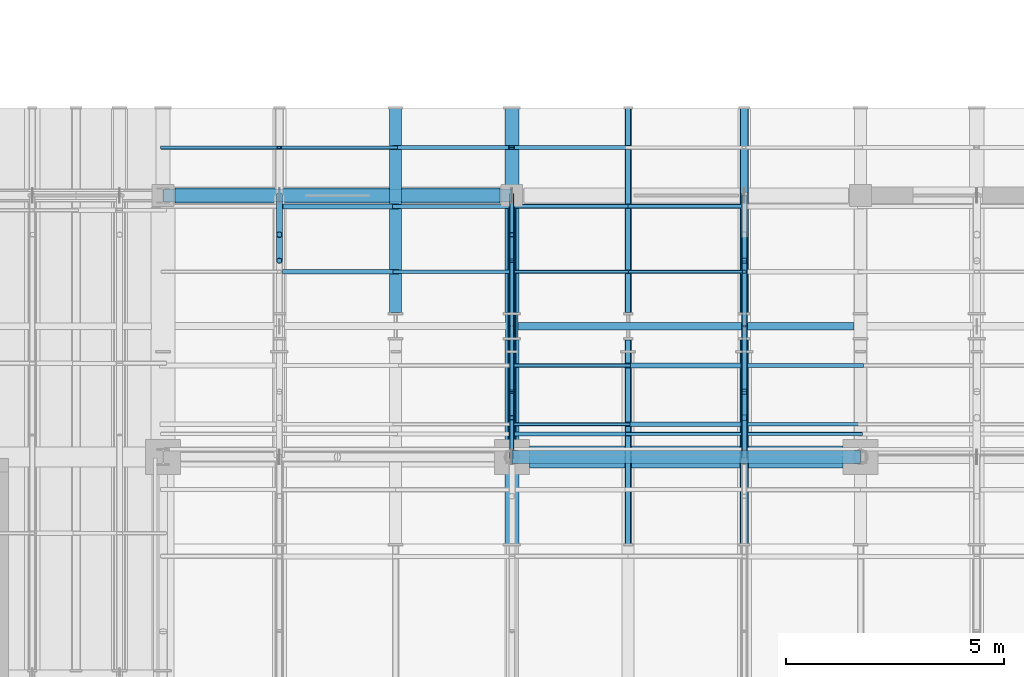
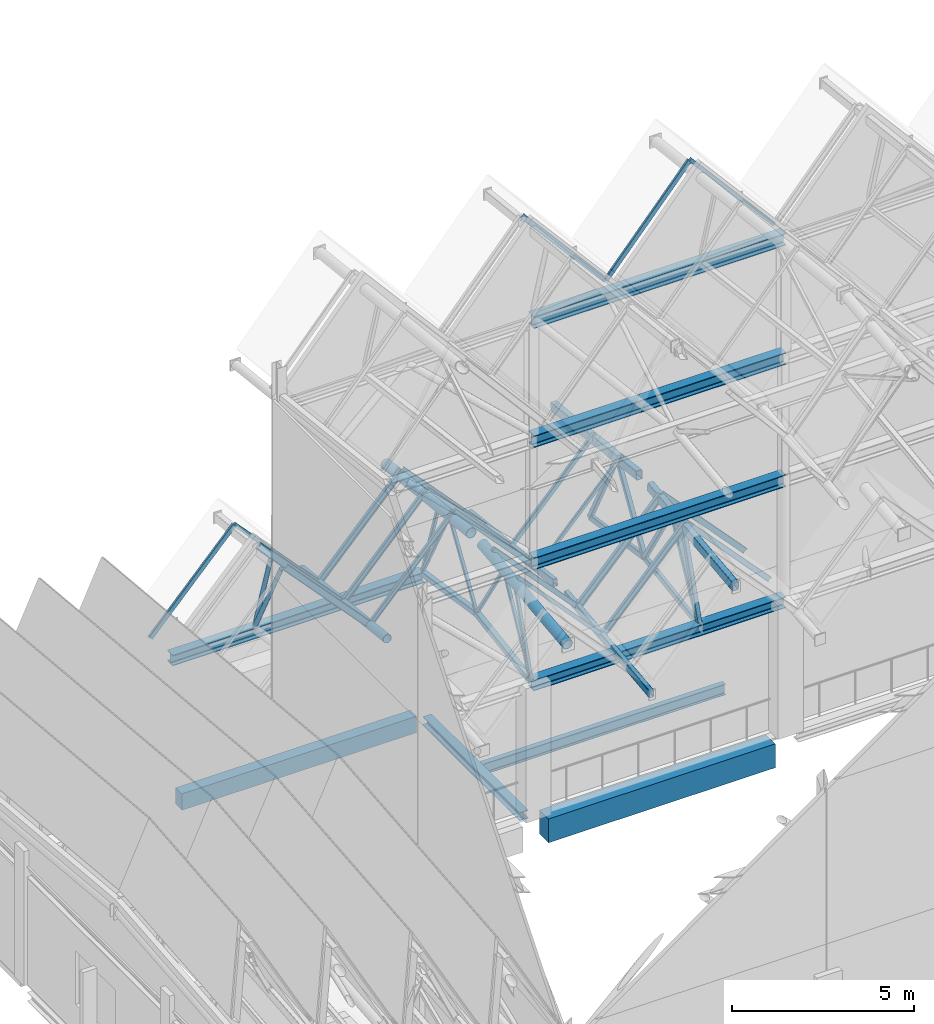
# One storey, part 13 of 48: 38 members, 16 beams.
"""IFC4 building model written with IfcOpenShell, lengths in metres."""

from ifc_helpers import new_model, si_unit, direction, frame, origin, origin_2d, place, context, subcontext, project, spatial, rectangle, hollow_rectangle, hollow_circle, i_section, extrude, material, material_profile, profile_set, type_object, element, save


model = new_model("IFC4")

# Units and contexts
model_context = context("Model", 3, precision=1e-05, world=origin(), true_north=direction((0.0, 1.0)))
body_context = subcontext(model_context, "Body", "Model", "MODEL_VIEW")
ifc_project = project(units=[si_unit("LENGTHUNIT", "METRE"), si_unit("AREAUNIT", "SQUARE_METRE"), si_unit("VOLUMEUNIT", "CUBIC_METRE"), si_unit("PLANEANGLEUNIT", "RADIAN"), si_unit("MASSUNIT", "GRAM", prefix="KILO")], contexts=[model_context])

# Site, building, storey
site_placement = place(None, origin())
site = spatial("IfcSite", under=ifc_project, at=site_placement, CompositionType="ELEMENT")
building_placement = place(site_placement, origin())
building = spatial("IfcBuilding", under=site, at=building_placement, Name="Luwemba Playhouse", CompositionType="ELEMENT")
storey_placement = place(building_placement, frame((0.0, 0.0, 13.800048828125)))
storey = spatial("IfcBuildingStorey", under=building, at=storey_placement, Name="L03", CompositionType="ELEMENT", Elevation=13.800048828125)

# Beams
ifc_material_1 = material(Name="Concrete C40/50", Category="concrete")
ifc_material_profile_1 = material_profile(ifc_material_1, rectangle(XDim=0.5, YDim=0.800048828125, at=origin_2d()))
ifc_profile_set_1 = profile_set([ifc_material_profile_1], Name="Concrete C40/50")
beam_type_1 = type_object("IfcBeamType", Name="BM-RB06", PredefinedType="BEAM", material=ifc_profile_set_1)
beam_1_placement = place(storey_placement, frame((20.39990234375, 84.0, -0.630126953125), z_axis=(1.0, 0.0, 0.0), x_axis=(0.0, 1.0, 0.0)))
element("IfcBeam", 1, at=beam_1_placement, inside=storey, type_object=beam_type_1, Name="L03 grid girder 0837", PredefinedType="BEAM", context=body_context, shape_type="SweptSolid", body=[
    extrude(rectangle(XDim=0.5, YDim=0.800048828125, at=origin_2d()), origin(), (0.0, 0.0, 1.0), 7.2001953125),
])
ifc_material_2 = material(Name="Steel S355", Category="steel")
ifc_material_profile_2 = material_profile(ifc_material_2, hollow_rectangle(XDim=0.14990234375, YDim=0.25, WallThickness=0.010009765625, InnerFilletRadius=0.014892578125, OuterFilletRadius=0.02490234375, at=origin_2d()))
ifc_profile_set_2 = profile_set([ifc_material_profile_2], Name="Steel S355")
beam_type_2 = type_object("IfcBeamType", Name="BM-RTG1", PredefinedType="USERDEFINED", material=ifc_profile_set_2)
for number, where, z_axis, x_axis, name in (
    (2, (22.666748046875, 82.0, 4.225830078125), (0.0, 0.993769895443, 0.111451311842), (-1.0, 0.0, 0.0), "ROOF TRUSS valley girder 0130"),
    (3, (22.666748046875, 87.300048828125, 4.7529296875), (0.0, 0.993769895443, -0.111451311842), (-1.0, 0.0, 0.0), "ROOF TRUSS valley girder 0131"),
):
    element("IfcBeam", number, at=place(storey_placement, frame(where, z_axis=z_axis, x_axis=x_axis)), inside=storey, type_object=beam_type_2, Name=name, ObjectType="ROOF TRUSS", PredefinedType="USERDEFINED", context=body_context, shape_type="SweptSolid", body=[
        extrude(hollow_rectangle(XDim=0.14990234375, YDim=0.25, WallThickness=0.010009765625, InnerFilletRadius=0.014892578125, OuterFilletRadius=0.02490234375, at=origin_2d()), origin(), (0.0, 0.0, 1.0), 4.7294921875),
    ])
ifc_material_profile_3 = material_profile(ifc_material_2, hollow_rectangle(XDim=0.199951171875, YDim=0.300048828125, WallThickness=0.012451171875, InnerFilletRadius=0.018798828125, OuterFilletRadius=0.03125, at=origin_2d()))
ifc_profile_set_3 = profile_set([ifc_material_profile_3], Name="Steel S355")
beam_type_3 = type_object("IfcBeamType", Name="BM-RTG2", PredefinedType="USERDEFINED", material=ifc_profile_set_3)
for number, where, z_axis, x_axis, name in (
    (4, (25.333251953125, 82.0, 6.904052734375), (0.0, 0.993769895443, 0.111451311842), (-1.0, 0.0, 0.0), "ROOF TRUSS ridge girder 0132"),
    (5, (25.333251953125, 87.300048828125, 7.43115234375), (0.0, 0.993769895443, -0.111451311842), (-1.0, 0.0, 0.0), "ROOF TRUSS ridge girder 0133"),
):
    element("IfcBeam", number, at=place(storey_placement, frame(where, z_axis=z_axis, x_axis=x_axis)), inside=storey, type_object=beam_type_3, Name=name, ObjectType="ROOF TRUSS", PredefinedType="USERDEFINED", context=body_context, shape_type="SweptSolid", body=[
        extrude(hollow_rectangle(XDim=0.199951171875, YDim=0.300048828125, WallThickness=0.012451171875, InnerFilletRadius=0.018798828125, OuterFilletRadius=0.03125, at=origin_2d()), origin(), (0.0, 0.0, 1.0), 4.7294921875),
    ])
ifc_material_profile_4 = material_profile(ifc_material_2, hollow_circle(Radius=0.136474609375, WallThickness=0.012451171875, at=origin_2d()))
ifc_profile_set_4 = profile_set([ifc_material_profile_4], Name="Steel S355")
beam_type_4 = type_object("IfcBeamType", Name="BM-RTG3", PredefinedType="USERDEFINED", material=ifc_profile_set_4)
beam_2_placement = place(storey_placement, frame((17.333251953125, 87.300048828125, 4.741455078125), z_axis=(0.0, 0.993764176703, -0.111502291916), x_axis=(-1.0, 0.0, 0.0)))
element("IfcBeam", 6, at=beam_2_placement, inside=storey, type_object=beam_type_4, Name="ROOF TRUSS valley girder 0127", ObjectType="ROOF TRUSS", PredefinedType="USERDEFINED", context=body_context, shape_type="SweptSolid", body=[
    extrude(hollow_circle(Radius=0.136474609375, WallThickness=0.012451171875, at=origin_2d()), origin(), (0.0, 0.0, 1.0), 4.7294921875),
])
ifc_material_profile_5 = material_profile(ifc_material_2, hollow_circle(Radius=0.161865234375, WallThickness=0.01611328125, at=origin_2d()))
ifc_profile_set_5 = profile_set([ifc_material_profile_5], Name="Steel S355")
beam_type_5 = type_object("IfcBeamType", Name="BM-RTG4", PredefinedType="USERDEFINED", material=ifc_profile_set_5)
for number, where, z_axis, x_axis, name in (
    (7, (20.0, 82.0, 6.825439453125), (0.0, 0.993769895443, 0.111451311842), (-1.0, 0.0, 0.0), "ROOF TRUSS ridge girder 0128"),
    (8, (20.0, 87.300048828125, 7.3525390625), (0.0, 0.993769895443, -0.111451311842), (-1.0, 0.0, 0.0), "ROOF TRUSS ridge girder 0129"),
):
    element("IfcBeam", number, at=place(storey_placement, frame(where, z_axis=z_axis, x_axis=x_axis)), inside=storey, type_object=beam_type_5, Name=name, ObjectType="ROOF TRUSS", PredefinedType="USERDEFINED", context=body_context, shape_type="SweptSolid", body=[
        extrude(hollow_circle(Radius=0.161865234375, WallThickness=0.01611328125, at=origin_2d()), origin(), (0.0, 0.0, 1.0), 4.7294921875),
    ])
ifc_material_profile_6 = material_profile(ifc_material_2, i_section(OverallWidth=0.280029296875, OverallDepth=0.27001953125, WebThickness=0.008056640625, FlangeThickness=0.012939453125, FilletRadius=0.02392578125, at=origin_2d()))
ifc_profile_set_6 = profile_set([ifc_material_profile_6], Name="Steel S355")
beam_type_6 = type_object("IfcBeamType", Name="BM-SB02", PredefinedType="BEAM", material=ifc_profile_set_6)
beam_3_placement = place(storey_placement, frame((20.0, 84.39990234375, -0.364990234375), z_axis=(0.0, 1.0, 0.0), x_axis=(-1.0, 0.0, 0.0)))
element("IfcBeam", 9, at=beam_3_placement, inside=storey, type_object=beam_type_6, Name="L03 transverse girder 0851", PredefinedType="BEAM", context=body_context, shape_type="SweptSolid", body=[
    extrude(i_section(OverallWidth=0.280029296875, OverallDepth=0.27001953125, WebThickness=0.008056640625, FlangeThickness=0.012939453125, FilletRadius=0.02392578125, at=origin_2d()), origin(), (0.0, 0.0, 1.0), 5.3251953125),
])
ifc_material_profile_7 = material_profile(ifc_material_2, i_section(OverallWidth=0.300048828125, OverallDepth=0.360107421875, WebThickness=0.012451171875, FlangeThickness=0.0224609375, FilletRadius=0.027099609375, at=origin_2d()))
ifc_profile_set_7 = profile_set([ifc_material_profile_7], Name="Steel S355")
beam_type_7 = type_object("IfcBeamType", Name="BM-SB09", PredefinedType="BEAM", material=ifc_profile_set_7)
for number, where, z_axis, x_axis, name in (
    (10, (20.0, 84.0, 4.320068359375), (1.0, 0.0, 0.0), (0.0, 1.0, 0.0), "RF-V2-NORTH eave ring beam 0111"),
    (11, (12.0, 90.0, 4.320068359375), (1.0, 0.0, 0.0), (0.0, 1.0, 0.0), "RF-V2-NORTH eave ring beam 0114"),
):
    element("IfcBeam", number, at=place(storey_placement, frame(where, z_axis=z_axis, x_axis=x_axis)), inside=storey, type_object=beam_type_7, Name=name, PredefinedType="BEAM", context=body_context, shape_type="SweptSolid", body=[
        extrude(i_section(OverallWidth=0.300048828125, OverallDepth=0.360107421875, WebThickness=0.012451171875, FlangeThickness=0.0224609375, FilletRadius=0.027099609375, at=origin_2d()), origin(), (0.0, 0.0, 1.0), 8.0),
    ])
ifc_material_profile_8 = material_profile(ifc_material_2, i_section(OverallWidth=0.300048828125, OverallDepth=0.39990234375, WebThickness=0.013427734375, FlangeThickness=0.02392578125, FilletRadius=0.027099609375, at=origin_2d()))
ifc_profile_set_8 = profile_set([ifc_material_profile_8], Name="Steel S355")
beam_type_8 = type_object("IfcBeamType", Name="BM-SB10", PredefinedType="BEAM", material=ifc_profile_set_8)
for number, where, z_axis, x_axis, name in (
    (12, (20.0, 84.0, 8.39990234375), (1.0, 0.0, 0.0), (0.0, 1.0, 0.0), "Fly tower ring beam 006"),
    (13, (20.0, 84.0, 12.5), (1.0, 0.0, 0.0), (0.0, 1.0, 0.0), "Fly tower ring beam 018"),
    (14, (20.0, 84.0, 16.5), (1.0, 0.0, 0.0), (0.0, 1.0, 0.0), "Fly tower ring beam 030"),
):
    element("IfcBeam", number, at=place(storey_placement, frame(where, z_axis=z_axis, x_axis=x_axis)), inside=storey, type_object=beam_type_8, Name=name, PredefinedType="BEAM", context=body_context, shape_type="SweptSolid", body=[
        extrude(i_section(OverallWidth=0.300048828125, OverallDepth=0.39990234375, WebThickness=0.013427734375, FlangeThickness=0.02392578125, FilletRadius=0.027099609375, at=origin_2d()), origin(), (0.0, 0.0, 1.0), 8.0),
    ])
ifc_material_profile_9 = material_profile(ifc_material_2, i_section(OverallWidth=0.169921875, OverallDepth=0.360107421875, WebThickness=0.008056640625, FlangeThickness=0.0126953125, FilletRadius=0.01806640625, at=origin_2d()))
ifc_profile_set_9 = profile_set([ifc_material_profile_9], Name="Steel S355")
beam_type_9 = type_object("IfcBeamType", Name="BM-SJ07", PredefinedType="JOIST", material=ifc_profile_set_9)
beam_4_placement = place(storey_placement, frame((20.135986328125, 87.0, -0.41015625), z_axis=(1.0, 0.0, 0.0), x_axis=(0.0, 1.0, 0.0)))
element("IfcBeam", 15, at=beam_4_placement, inside=storey, type_object=beam_type_9, Name="L03 composite floor joist 0486", PredefinedType="JOIST", context=body_context, shape_type="SweptSolid", body=[
    extrude(i_section(OverallWidth=0.169921875, OverallDepth=0.360107421875, WebThickness=0.008056640625, FlangeThickness=0.0126953125, FilletRadius=0.01806640625, at=origin_2d()), origin(), (0.0, 0.0, 1.0), 7.718017578125),
])
ifc_material_profile_10 = material_profile(ifc_material_1, rectangle(XDim=0.35009765625, YDim=0.550048828125, at=origin_2d()))
ifc_profile_set_10 = profile_set([ifc_material_profile_10], Name="Concrete C40/50")
beam_type_10 = type_object("IfcBeamType", Name="BM-SP2", PredefinedType="SPANDREL", material=ifc_profile_set_10)
beam_5_placement = place(storey_placement, frame((12.27490234375, 90.0, -0.505126953125), z_axis=(1.0, 0.0, 0.0), x_axis=(0.0, 1.0, 0.0)))
element("IfcBeam", 16, at=beam_5_placement, inside=storey, type_object=beam_type_10, Name="L03 grid girder 0841", PredefinedType="SPANDREL", context=body_context, shape_type="SweptSolid", body=[
    extrude(rectangle(XDim=0.35009765625, YDim=0.550048828125, at=origin_2d()), origin(), (0.0, 0.0, 1.0), 7.4501953125),
])

# Members
ifc_material_profile_11 = material_profile(ifc_material_2, hollow_circle(Radius=0.06982421875, WallThickness=0.008056640625, at=origin_2d()))
ifc_profile_set_11 = profile_set([ifc_material_profile_11], Name="Steel S355")
member_type_1 = type_object("IfcMemberType", Name="MEM-MB01", PredefinedType="BRACE", material=ifc_profile_set_11)
member_1_placement = place(storey_placement, frame((14.666748046875, 90.0, 4.39990234375), z_axis=(0.0, -0.459862679035, 0.88799004298), x_axis=(1.0, 0.0, 0.0)))
element("IfcMember", 17, at=member_1_placement, inside=storey, type_object=member_type_1, Name="ROOF TRUSS web diagonal 0108", PredefinedType="BRACE", context=body_context, shape_type="SweptSolid", body=[
    extrude(hollow_circle(Radius=0.06982421875, WallThickness=0.008056640625, at=origin_2d()), origin(), (0.0, 0.0, 1.0), 3.261962890625),
])
member_2_placement = place(storey_placement, frame((14.666748046875, 90.0, 4.39990234375), z_axis=(0.0, -0.303098438521, 0.952959252312), x_axis=(1.0, 0.0, 0.0)))
element("IfcMember", 18, at=member_2_placement, inside=storey, type_object=member_type_1, Name="ROOF TRUSS eave knee strut 0019", PredefinedType="BRACE", context=body_context, shape_type="SweptSolid", body=[
    extrude(hollow_circle(Radius=0.06982421875, WallThickness=0.008056640625, at=origin_2d()), origin(), (0.0, 0.0, 1.0), 2.968994140625),
])
ifc_material_profile_12 = material_profile(ifc_material_2, hollow_rectangle(XDim=0.10009765625, YDim=0.10009765625, WallThickness=0.00634765625, InnerFilletRadius=0.009521484375, OuterFilletRadius=0.015869140625, at=origin_2d()))
ifc_profile_set_12 = profile_set([ifc_material_profile_12], Name="Steel S355")
member_type_2 = type_object("IfcMemberType", Name="MEM-MB05", PredefinedType="BRACE", material=ifc_profile_set_12)
member_3_placement = place(storey_placement, frame((20.0, 84.0, 4.39990234375), z_axis=(0.0, 0.469857731864, 0.88274215477), x_axis=(-1.0, 0.0, 0.0)))
element("IfcMember", 19, at=member_3_placement, inside=storey, type_object=member_type_2, Name="ROOF TRUSS web diagonal 0111", PredefinedType="BRACE", context=body_context, shape_type="SweptSolid", body=[
    extrude(hollow_rectangle(XDim=0.10009765625, YDim=0.10009765625, WallThickness=0.00634765625, InnerFilletRadius=0.009521484375, OuterFilletRadius=0.015869140625, at=origin_2d()), origin(), (0.0, 0.0, 1.0), 3.1923828125),
])
for number, where, z_axis, x_axis, name in (
    (20, (20.0, 87.0, 4.8564453125), (0.0, -0.536158182569, 0.844117529296), (1.0, 0.0, 0.0), "ROOF TRUSS web diagonal 0112"),
    (21, (20.0, 87.0, 4.8564453125), (0.0, 0.536158182569, 0.844117529296), (-1.0, 0.0, 0.0), "ROOF TRUSS web diagonal 0113"),
):
    element("IfcMember", number, at=place(storey_placement, frame(where, z_axis=z_axis, x_axis=x_axis)), inside=storey, type_object=member_type_2, Name=name, PredefinedType="BRACE", context=body_context, shape_type="SweptSolid", body=[
        extrude(hollow_rectangle(XDim=0.10009765625, YDim=0.10009765625, WallThickness=0.00634765625, InnerFilletRadius=0.009521484375, OuterFilletRadius=0.015869140625, at=origin_2d()), origin(), (0.0, 0.0, 1.0), 2.797607421875),
    ])
member_4_placement = place(storey_placement, frame((20.0, 90.0, 4.39990234375), z_axis=(0.0, -0.469857731864, 0.88274215477), x_axis=(1.0, 0.0, 0.0)))
element("IfcMember", 22, at=member_4_placement, inside=storey, type_object=member_type_2, Name="ROOF TRUSS web diagonal 0114", PredefinedType="BRACE", context=body_context, shape_type="SweptSolid", body=[
    extrude(hollow_rectangle(XDim=0.10009765625, YDim=0.10009765625, WallThickness=0.00634765625, InnerFilletRadius=0.009521484375, OuterFilletRadius=0.015869140625, at=origin_2d()), origin(), (0.0, 0.0, 1.0), 3.1923828125),
])
for number, where, z_axis, x_axis, name in (
    (23, (20.0, 84.0, 4.39990234375), (0.0, 0.310933771761, 0.950431580693), (-1.0, 0.0, 0.0), "ROOF TRUSS eave knee strut 0020"),
    (24, (20.0, 90.0, 4.39990234375), (0.0, -0.310933771761, 0.950431580693), (1.0, 0.0, 0.0), "ROOF TRUSS eave knee strut 0021"),
):
    element("IfcMember", number, at=place(storey_placement, frame(where, z_axis=z_axis, x_axis=x_axis)), inside=storey, type_object=member_type_2, Name=name, PredefinedType="BRACE", context=body_context, shape_type="SweptSolid", body=[
        extrude(hollow_rectangle(XDim=0.10009765625, YDim=0.10009765625, WallThickness=0.00634765625, InnerFilletRadius=0.009521484375, OuterFilletRadius=0.015869140625, at=origin_2d()), origin(), (0.0, 0.0, 1.0), 2.894287109375),
    ])
ifc_material_profile_13 = material_profile(ifc_material_2, hollow_rectangle(XDim=0.139892578125, YDim=0.139892578125, WallThickness=0.008056640625, InnerFilletRadius=0.011962890625, OuterFilletRadius=0.02001953125, at=origin_2d()))
ifc_profile_set_13 = profile_set([ifc_material_profile_13], Name="Steel S355")
member_type_3 = type_object("IfcMemberType", Name="MEM-MB07", PredefinedType="BRACE", material=ifc_profile_set_13)
member_5_placement = place(storey_placement, frame((25.333251953125, 84.0, 4.39990234375), z_axis=(0.0, 0.45983211658, 0.888005869666), x_axis=(-1.0, 0.0, 0.0)))
element("IfcMember", 25, at=member_5_placement, inside=storey, type_object=member_type_3, Name="ROOF TRUSS web diagonal 0117", PredefinedType="BRACE", context=body_context, shape_type="SweptSolid", body=[
    extrude(hollow_rectangle(XDim=0.139892578125, YDim=0.139892578125, WallThickness=0.008056640625, InnerFilletRadius=0.011962890625, OuterFilletRadius=0.02001953125, at=origin_2d()), origin(), (0.0, 0.0, 1.0), 3.261962890625),
])
for number, where, z_axis, x_axis, name in (
    (26, (25.333251953125, 87.0, 4.8564453125), (0.0, -0.523678873485, 0.851915745521), (1.0, 0.0, 0.0), "ROOF TRUSS web diagonal 0118"),
    (27, (25.333251953125, 87.0, 4.8564453125), (0.0, 0.523678873485, 0.851915745521), (-1.0, 0.0, 0.0), "ROOF TRUSS web diagonal 0119"),
):
    element("IfcMember", number, at=place(storey_placement, frame(where, z_axis=z_axis, x_axis=x_axis)), inside=storey, type_object=member_type_3, Name=name, PredefinedType="BRACE", context=body_context, shape_type="SweptSolid", body=[
        extrude(hollow_rectangle(XDim=0.139892578125, YDim=0.139892578125, WallThickness=0.008056640625, InnerFilletRadius=0.011962890625, OuterFilletRadius=0.02001953125, at=origin_2d()), origin(), (0.0, 0.0, 1.0), 2.8642578125),
    ])
member_6_placement = place(storey_placement, frame((25.333251953125, 90.0, 4.39990234375), z_axis=(0.0, -0.45983211658, 0.888005869666), x_axis=(1.0, 0.0, 0.0)))
element("IfcMember", 28, at=member_6_placement, inside=storey, type_object=member_type_3, Name="ROOF TRUSS web diagonal 0120", PredefinedType="BRACE", context=body_context, shape_type="SweptSolid", body=[
    extrude(hollow_rectangle(XDim=0.139892578125, YDim=0.139892578125, WallThickness=0.008056640625, InnerFilletRadius=0.011962890625, OuterFilletRadius=0.02001953125, at=origin_2d()), origin(), (0.0, 0.0, 1.0), 3.261962890625),
])
member_7_placement = place(storey_placement, frame((25.333251953125, 84.0, 4.39990234375), z_axis=(0.0, 0.303098438521, 0.952959252312), x_axis=(-1.0, 0.0, 0.0)))
element("IfcMember", 29, at=member_7_placement, inside=storey, type_object=member_type_3, Name="ROOF TRUSS eave knee strut 0022", PredefinedType="BRACE", context=body_context, shape_type="SweptSolid", body=[
    extrude(hollow_rectangle(XDim=0.139892578125, YDim=0.139892578125, WallThickness=0.008056640625, InnerFilletRadius=0.011962890625, OuterFilletRadius=0.02001953125, at=origin_2d()), origin(), (0.0, 0.0, 1.0), 2.968994140625),
])
ifc_material_profile_14 = material_profile(ifc_material_2, hollow_rectangle(XDim=0.179931640625, YDim=0.179931640625, WallThickness=0.010009765625, InnerFilletRadius=0.014892578125, OuterFilletRadius=0.02490234375, at=origin_2d()))
ifc_profile_set_14 = profile_set([ifc_material_profile_14], Name="Steel S355")
member_type_4 = type_object("IfcMemberType", Name="MEM-MC03", PredefinedType="CHORD", material=ifc_profile_set_14)
for number, where, z_axis, x_axis, name in (
    (30, (20.0, 84.0, 4.39990234375), (0.0, 0.988617796803, 0.150448834637), (-1.0, 0.0, 0.0), "ROOF TRUSS south bottom chord 0109"),
    (31, (20.0, 87.0, 4.8564453125), (0.0, 0.988617796803, -0.150448834637), (-1.0, 0.0, 0.0), "ROOF TRUSS north bottom chord 0110"),
):
    element("IfcMember", number, at=place(storey_placement, frame(where, z_axis=z_axis, x_axis=x_axis)), inside=storey, type_object=member_type_4, Name=name, PredefinedType="CHORD", context=body_context, shape_type="SweptSolid", body=[
        extrude(hollow_rectangle(XDim=0.179931640625, YDim=0.179931640625, WallThickness=0.010009765625, InnerFilletRadius=0.014892578125, OuterFilletRadius=0.02490234375, at=origin_2d()), origin(), (0.0, 0.0, 1.0), 3.034423828125),
    ])
ifc_material_profile_15 = material_profile(ifc_material_2, hollow_rectangle(XDim=0.1201171875, YDim=0.199951171875, WallThickness=0.010009765625, InnerFilletRadius=0.014892578125, OuterFilletRadius=0.02490234375, at=origin_2d()))
ifc_profile_set_15 = profile_set([ifc_material_profile_15], Name="Steel S355")
member_type_5 = type_object("IfcMemberType", Name="MEM-MC05", PredefinedType="CHORD", material=ifc_profile_set_15)
for number, where, z_axis, x_axis, name in (
    (32, (25.333251953125, 84.0, 4.39990234375), (0.0, 0.988617796803, 0.150448834637), (-1.0, 0.0, 0.0), "ROOF TRUSS south bottom chord 0115"),
    (33, (25.333251953125, 87.0, 4.8564453125), (0.0, 0.988617796803, -0.150448834637), (-1.0, 0.0, 0.0), "ROOF TRUSS north bottom chord 0116"),
):
    element("IfcMember", number, at=place(storey_placement, frame(where, z_axis=z_axis, x_axis=x_axis)), inside=storey, type_object=member_type_5, Name=name, PredefinedType="CHORD", context=body_context, shape_type="SweptSolid", body=[
        extrude(hollow_rectangle(XDim=0.1201171875, YDim=0.199951171875, WallThickness=0.010009765625, InnerFilletRadius=0.014892578125, OuterFilletRadius=0.02490234375, at=origin_2d()), origin(), (0.0, 0.0, 1.0), 3.034423828125),
    ])
ifc_material_profile_16 = material_profile(ifc_material_2, hollow_rectangle(XDim=0.080078125, YDim=0.1201171875, WallThickness=0.00634765625, InnerFilletRadius=0.009521484375, OuterFilletRadius=0.015869140625, at=origin_2d()))
ifc_profile_set_16 = profile_set([ifc_material_profile_16], Name="Steel S355")
member_type_6 = type_object("IfcMemberType", Name="MEM-MP01", PredefinedType="PURLIN", material=ifc_profile_set_16)
member_8_placement = place(storey_placement, frame((25.333251953125, 84.528076171875, 19.705078125), z_axis=(0.651808038275, 0.0, -0.758383993265), x_axis=(0.0, 1.0, 0.0)))
element("IfcMember", 34, at=member_8_placement, inside=storey, type_object=member_type_6, Name="Pleated roof purlin 0120", PredefinedType="PURLIN", context=body_context, shape_type="SweptSolid", body=[
    extrude(hollow_rectangle(XDim=0.080078125, YDim=0.1201171875, WallThickness=0.00634765625, InnerFilletRadius=0.009521484375, OuterFilletRadius=0.015869140625, at=origin_2d()), origin(), (0.0, 0.0, 1.0), 4.09130859375),
])
member_9_placement = place(storey_placement, frame((14.666748046875, 91.10009765625, 7.217041015625), z_axis=(0.681513033636, 0.0, -0.731805974958), x_axis=(0.0, 1.0, 0.0)))
element("IfcMember", 35, at=member_9_placement, inside=storey, type_object=member_type_6, Name="Pleated roof purlin 0216", PredefinedType="PURLIN", context=body_context, shape_type="SweptSolid", body=[
    extrude(hollow_rectangle(XDim=0.080078125, YDim=0.1201171875, WallThickness=0.00634765625, InnerFilletRadius=0.009521484375, OuterFilletRadius=0.015869140625, at=origin_2d()), origin(), (0.0, 0.0, 1.0), 3.91259765625),
])
member_10_placement = place(storey_placement, frame((20.0, 84.75, 7.4248046875), z_axis=(0.68148421333, 0.0, -0.731832813546), x_axis=(0.0, 1.0, 0.0)))
element("IfcMember", 36, at=member_10_placement, inside=storey, type_object=member_type_6, Name="Pleated roof purlin 0224", PredefinedType="PURLIN", context=body_context, shape_type="SweptSolid", body=[
    extrude(hollow_rectangle(XDim=0.080078125, YDim=0.1201171875, WallThickness=0.00634765625, InnerFilletRadius=0.009521484375, OuterFilletRadius=0.015869140625, at=origin_2d()), origin(), (0.0, 0.0, 1.0), 3.9130859375),
])
member_11_placement = place(storey_placement, frame((22.666748046875, 88.25, 4.67333984375), z_axis=(0.68148191426, 0.0, 0.731834954437), x_axis=(0.0, 1.0, 0.0)))
element("IfcMember", 37, at=member_11_placement, inside=storey, type_object=member_type_6, Name="Pleated roof purlin 0232", PredefinedType="PURLIN", context=body_context, shape_type="SweptSolid", body=[
    extrude(hollow_rectangle(XDim=0.080078125, YDim=0.1201171875, WallThickness=0.00634765625, InnerFilletRadius=0.009521484375, OuterFilletRadius=0.015869140625, at=origin_2d()), origin(), (0.0, 0.0, 1.0), 3.912841796875),
])
ifc_material_profile_17 = material_profile(ifc_material_2, hollow_rectangle(XDim=0.10009765625, YDim=0.14990234375, WallThickness=0.008056640625, InnerFilletRadius=0.011962890625, OuterFilletRadius=0.02001953125, at=origin_2d()))
ifc_profile_set_17 = profile_set([ifc_material_profile_17], Name="Steel S355")
member_type_7 = type_object("IfcMemberType", Name="MEM-MP02", PredefinedType="PURLIN", material=ifc_profile_set_17)
member_12_placement = place(storey_placement, frame((20.0, 86.10009765625, 7.550537109375), z_axis=(0.68148421333, 0.0, -0.731832813546), x_axis=(0.0, 1.0, 0.0)))
element("IfcMember", 38, at=member_12_placement, inside=storey, type_object=member_type_7, Name="Pleated roof purlin 0225", PredefinedType="PURLIN", context=body_context, shape_type="SweptSolid", body=[
    extrude(hollow_rectangle(XDim=0.10009765625, YDim=0.14990234375, WallThickness=0.008056640625, InnerFilletRadius=0.011962890625, OuterFilletRadius=0.02001953125, at=origin_2d()), origin(), (0.0, 0.0, 1.0), 3.9130859375),
])
member_13_placement = place(storey_placement, frame((22.666748046875, 89.75, 4.4794921875), z_axis=(0.681513033636, 0.0, 0.731805974958), x_axis=(0.0, 1.0, 0.0)))
element("IfcMember", 39, at=member_13_placement, inside=storey, type_object=member_type_7, Name="Pleated roof purlin 0233", PredefinedType="PURLIN", context=body_context, shape_type="SweptSolid", body=[
    extrude(hollow_rectangle(XDim=0.10009765625, YDim=0.14990234375, WallThickness=0.008056640625, InnerFilletRadius=0.011962890625, OuterFilletRadius=0.02001953125, at=origin_2d()), origin(), (0.0, 0.0, 1.0), 3.91259765625),
])
ifc_material_profile_18 = material_profile(ifc_material_2, hollow_rectangle(XDim=0.080078125, YDim=0.159912109375, WallThickness=0.00634765625, InnerFilletRadius=0.009521484375, OuterFilletRadius=0.015869140625, at=origin_2d()))
ifc_profile_set_18 = profile_set([ifc_material_profile_18], Name="Steel S355")
member_type_8 = type_object("IfcMemberType", Name="MEM-MP03", PredefinedType="PURLIN", material=ifc_profile_set_18)
member_14_placement = place(storey_placement, frame((22.666748046875, 84.528076171875, 16.582275390625), z_axis=(0.651773715576, 0.0, 0.758413491233), x_axis=(0.0, 1.0, 0.0)))
element("IfcMember", 40, at=member_14_placement, inside=storey, type_object=member_type_8, Name="Pleated roof purlin 0114", PredefinedType="PURLIN", context=body_context, shape_type="SweptSolid", body=[
    extrude(hollow_rectangle(XDim=0.080078125, YDim=0.159912109375, WallThickness=0.00634765625, InnerFilletRadius=0.009521484375, OuterFilletRadius=0.015869140625, at=origin_2d()), origin(), (0.0, 0.0, 1.0), 4.091064453125),
])
for number, where, z_axis, x_axis, name in (
    (41, (12.0, 91.10009765625, 4.333740234375), (0.681515329976, 0.0, 0.731803836426), (0.0, 1.0, 0.0), "Pleated roof purlin 0210"),
    (42, (20.0, 88.25, 7.516845703125), (0.681515329976, 0.0, -0.731803836426), (0.0, 1.0, 0.0), "Pleated roof purlin 0226"),
):
    element("IfcMember", number, at=place(storey_placement, frame(where, z_axis=z_axis, x_axis=x_axis)), inside=storey, type_object=member_type_8, Name=name, PredefinedType="PURLIN", context=body_context, shape_type="SweptSolid", body=[
        extrude(hollow_rectangle(XDim=0.080078125, YDim=0.159912109375, WallThickness=0.00634765625, InnerFilletRadius=0.009521484375, OuterFilletRadius=0.015869140625, at=origin_2d()), origin(), (0.0, 0.0, 1.0), 3.9130859375),
    ])
ifc_material_profile_19 = material_profile(ifc_material_2, hollow_rectangle(XDim=0.10009765625, YDim=0.179931640625, WallThickness=0.008056640625, InnerFilletRadius=0.011962890625, OuterFilletRadius=0.02001953125, at=origin_2d()))
ifc_profile_set_19 = profile_set([ifc_material_profile_19], Name="Steel S355")
member_type_9 = type_object("IfcMemberType", Name="MEM-MP04", PredefinedType="PURLIN", material=ifc_profile_set_19)
member_15_placement = place(storey_placement, frame((20.0, 89.75, 7.327880859375), z_axis=(0.681515329976, 0.0, -0.731803836426), x_axis=(0.0, 1.0, 0.0)))
element("IfcMember", 43, at=member_15_placement, inside=storey, type_object=member_type_9, Name="Pleated roof purlin 0227", PredefinedType="PURLIN", context=body_context, shape_type="SweptSolid", body=[
    extrude(hollow_rectangle(XDim=0.10009765625, YDim=0.179931640625, WallThickness=0.008056640625, InnerFilletRadius=0.011962890625, OuterFilletRadius=0.02001953125, at=origin_2d()), origin(), (0.0, 0.0, 1.0), 3.9130859375),
])
ifc_material_profile_20 = material_profile(ifc_material_2, i_section(OverallWidth=0.08203125, OverallDepth=0.159912109375, WebThickness=0.0048828125, FlangeThickness=0.00732421875, FilletRadius=0.009033203125, at=origin_2d()))
ifc_profile_set_20 = profile_set([ifc_material_profile_20], Name="Steel S355")
member_type_10 = type_object("IfcMemberType", Name="MEM-MP05", PredefinedType="PURLIN", material=ifc_profile_set_20)
member_16_placement = place(storey_placement, frame((20.0, 84.528076171875, 19.683837890625), z_axis=(0.651808038275, 0.0, -0.758383993265), x_axis=(0.0, 1.0, 0.0)))
element("IfcMember", 44, at=member_16_placement, inside=storey, type_object=member_type_10, Name="Pleated roof purlin 0108", PredefinedType="PURLIN", context=body_context, shape_type="SweptSolid", body=[
    extrude(i_section(OverallWidth=0.08203125, OverallDepth=0.159912109375, WebThickness=0.0048828125, FlangeThickness=0.00732421875, FilletRadius=0.009033203125, at=origin_2d()), origin(), (0.0, 0.0, 1.0), 4.09130859375),
])
member_17_placement = place(storey_placement, frame((17.333251953125, 88.25, 4.65234375), z_axis=(0.681515329976, 0.0, 0.731803836426), x_axis=(0.0, 1.0, 0.0)))
element("IfcMember", 45, at=member_17_placement, inside=storey, type_object=member_type_10, Name="Pleated roof purlin 0220", PredefinedType="PURLIN", context=body_context, shape_type="SweptSolid", body=[
    extrude(i_section(OverallWidth=0.08203125, OverallDepth=0.159912109375, WebThickness=0.0048828125, FlangeThickness=0.00732421875, FilletRadius=0.009033203125, at=origin_2d()), origin(), (0.0, 0.0, 1.0), 3.9130859375),
])
member_18_placement = place(storey_placement, frame((20.0, 91.10009765625, 7.196044921875), z_axis=(0.681546448231, 0.0, -0.731774855337), x_axis=(0.0, 1.0, 0.0)))
element("IfcMember", 46, at=member_18_placement, inside=storey, type_object=member_type_10, Name="Pleated roof purlin 0228", PredefinedType="PURLIN", context=body_context, shape_type="SweptSolid", body=[
    extrude(i_section(OverallWidth=0.08203125, OverallDepth=0.159912109375, WebThickness=0.0048828125, FlangeThickness=0.00732421875, FilletRadius=0.009033203125, at=origin_2d()), origin(), (0.0, 0.0, 1.0), 3.912841796875),
])
member_19_placement = place(storey_placement, frame((25.333251953125, 84.75, 7.403564453125), z_axis=(0.681515329976, 0.0, -0.731803836426), x_axis=(0.0, 1.0, 0.0)))
element("IfcMember", 47, at=member_19_placement, inside=storey, type_object=member_type_10, Name="Pleated roof purlin 0236", PredefinedType="PURLIN", context=body_context, shape_type="SweptSolid", body=[
    extrude(i_section(OverallWidth=0.08203125, OverallDepth=0.159912109375, WebThickness=0.0048828125, FlangeThickness=0.00732421875, FilletRadius=0.009033203125, at=origin_2d()), origin(), (0.0, 0.0, 1.0), 3.9130859375),
])
ifc_material_profile_21 = material_profile(ifc_material_2, i_section(OverallWidth=0.091064453125, OverallDepth=0.179931640625, WebThickness=0.00537109375, FlangeThickness=0.008056640625, FilletRadius=0.009033203125, at=origin_2d()))
ifc_profile_set_21 = profile_set([ifc_material_profile_21], Name="Steel S355")
member_type_11 = type_object("IfcMemberType", Name="MEM-MP06", PredefinedType="PURLIN", material=ifc_profile_set_21)
for number, where, z_axis, x_axis, name in (
    (48, (17.333251953125, 89.75, 4.46923828125), (0.681515329976, 0.0, 0.731803836426), (0.0, 1.0, 0.0), "Pleated roof purlin 0221"),
    (49, (25.333251953125, 86.10009765625, 7.540283203125), (0.681515329976, 0.0, -0.731803836426), (0.0, 1.0, 0.0), "Pleated roof purlin 0237"),
):
    element("IfcMember", number, at=place(storey_placement, frame(where, z_axis=z_axis, x_axis=x_axis)), inside=storey, type_object=member_type_11, Name=name, PredefinedType="PURLIN", context=body_context, shape_type="SweptSolid", body=[
        extrude(i_section(OverallWidth=0.091064453125, OverallDepth=0.179931640625, WebThickness=0.00537109375, FlangeThickness=0.008056640625, FilletRadius=0.009033203125, at=origin_2d()), origin(), (0.0, 0.0, 1.0), 3.9130859375),
    ])
ifc_material_profile_22 = material_profile(ifc_material_2, i_section(OverallWidth=0.10009765625, OverallDepth=0.199951171875, WebThickness=0.005615234375, FlangeThickness=0.008544921875, FilletRadius=0.011962890625, at=origin_2d()))
ifc_profile_set_22 = profile_set([ifc_material_profile_22], Name="Steel S355")
member_type_12 = type_object("IfcMemberType", Name="MEM-MP07", PredefinedType="PURLIN", material=ifc_profile_set_22)
member_20_placement = place(storey_placement, frame((14.666748046875, 88.25, 7.486083984375), z_axis=(0.68148191426, 0.0, -0.731834954437), x_axis=(0.0, 1.0, 0.0)))
element("IfcMember", 50, at=member_20_placement, inside=storey, type_object=member_type_12, Name="Pleated roof purlin 0214", PredefinedType="PURLIN", context=body_context, shape_type="SweptSolid", body=[
    extrude(i_section(OverallWidth=0.10009765625, OverallDepth=0.199951171875, WebThickness=0.005615234375, FlangeThickness=0.008544921875, FilletRadius=0.011962890625, at=origin_2d()), origin(), (0.0, 0.0, 1.0), 3.912841796875),
])
member_21_placement = place(storey_placement, frame((17.333251953125, 91.10009765625, 4.302978515625), z_axis=(0.681515329976, 0.0, 0.731803836426), x_axis=(0.0, 1.0, 0.0)))
element("IfcMember", 51, at=member_21_placement, inside=storey, type_object=member_type_12, Name="Pleated roof purlin 0222", PredefinedType="PURLIN", context=body_context, shape_type="SweptSolid", body=[
    extrude(i_section(OverallWidth=0.10009765625, OverallDepth=0.199951171875, WebThickness=0.005615234375, FlangeThickness=0.008544921875, FilletRadius=0.011962890625, at=origin_2d()), origin(), (0.0, 0.0, 1.0), 3.9130859375),
])
member_22_placement = place(storey_placement, frame((22.666748046875, 84.75, 4.510498046875), z_axis=(0.68148191426, 0.0, 0.731834954437), x_axis=(0.0, 1.0, 0.0)))
element("IfcMember", 52, at=member_22_placement, inside=storey, type_object=member_type_12, Name="Pleated roof purlin 0230", PredefinedType="PURLIN", context=body_context, shape_type="SweptSolid", body=[
    extrude(i_section(OverallWidth=0.10009765625, OverallDepth=0.199951171875, WebThickness=0.005615234375, FlangeThickness=0.008544921875, FilletRadius=0.011962890625, at=origin_2d()), origin(), (0.0, 0.0, 1.0), 3.912841796875),
])
ifc_material_profile_23 = material_profile(ifc_material_2, i_section(OverallWidth=0.110107421875, OverallDepth=0.219970703125, WebThickness=0.005859375, FlangeThickness=0.00927734375, FilletRadius=0.011962890625, at=origin_2d()))
ifc_profile_set_23 = profile_set([ifc_material_profile_23], Name="Steel S355")
member_type_13 = type_object("IfcMemberType", Name="MEM-MP08", PredefinedType="PURLIN", material=ifc_profile_set_23)
for number, where, z_axis, x_axis, name in (
    (53, (14.666748046875, 89.75, 7.302490234375), (0.68148191426, 0.0, -0.731834954437), (0.0, 1.0, 0.0), "Pleated roof purlin 0215"),
    (54, (22.666748046875, 86.10009765625, 4.646484375), (0.68148191426, 0.0, 0.731834954437), (0.0, 1.0, 0.0), "Pleated roof purlin 0231"),
):
    element("IfcMember", number, at=place(storey_placement, frame(where, z_axis=z_axis, x_axis=x_axis)), inside=storey, type_object=member_type_13, Name=name, PredefinedType="PURLIN", context=body_context, shape_type="SweptSolid", body=[
        extrude(i_section(OverallWidth=0.110107421875, OverallDepth=0.219970703125, WebThickness=0.005859375, FlangeThickness=0.00927734375, FilletRadius=0.011962890625, at=origin_2d()), origin(), (0.0, 0.0, 1.0), 3.912841796875),
    ])

save(model, "model.ifc")
